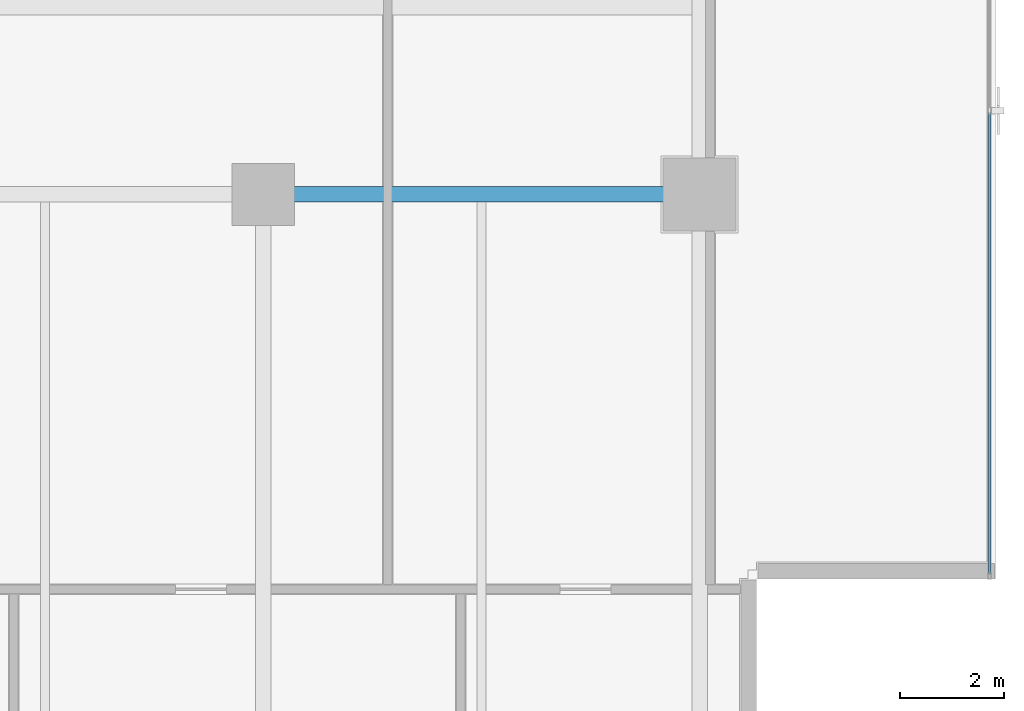
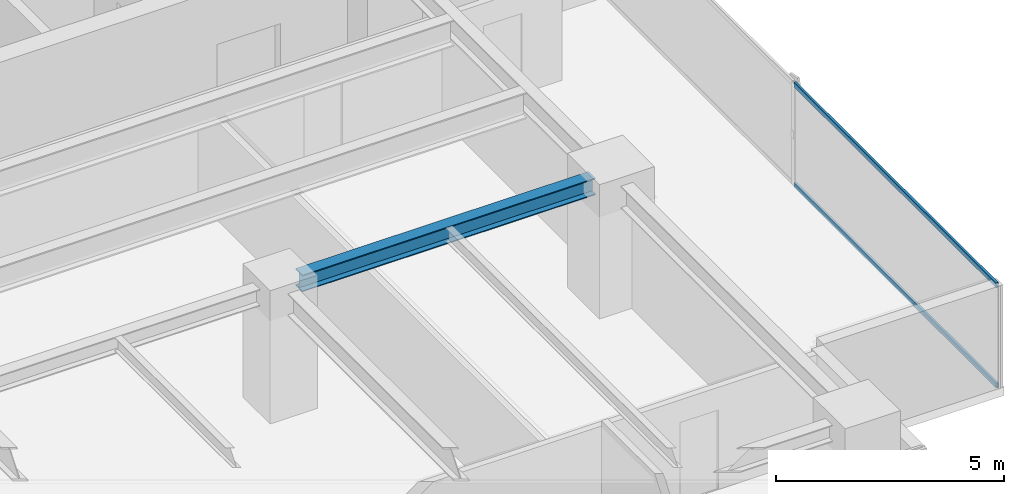
# One storey, part 12 of 27: 2 members, 1 beam, 1 element without a shape of its own.
"""IFC4 building model written with IfcOpenShell, lengths in metres."""

import ifcopenshell
import ifcopenshell.guid

model = None  # the IFC model being written
_history = None  # IfcOwnerHistory: only IFC2X3 demands one
_inside = {}  # id of a spatial element -> (the spatial element, [elements in it])
_under = {}  # id of a project, library or spatial element -> (it, [spatial elements below it])
_declared = {}  # id of a project -> (the project, [libraries it declares])
_typed = {}  # id of a type object -> (the type object, [elements of that type])
_made_of = {}  # id of a material, layer set ... -> (it, [elements and type objects made of it])


def new_model(schema):
    """Start an empty IFC model of exactly this schema.

    Asked for "IFC4X3", IfcOpenShell would pick the latest addendum, in which some entities
    have other attributes; the version numbers below select the first issue.
    IFC2X3 requires an IfcOwnerHistory on every rooted entity: one is made here for all.
    """
    global model, _history
    if schema == "IFC4X3":
        model = ifcopenshell.file(schema_version=(4, 3, 0, 0))
    else:
        model = ifcopenshell.file(schema=schema)
    _inside.clear()
    _under.clear()
    _declared.clear()
    _typed.clear()
    _made_of.clear()
    _history = None
    if model.schema == "IFC2X3":
        org = make("IfcOrganization", Name="unknown")
        user = make(
            "IfcPersonAndOrganization",
            ThePerson=make("IfcPerson", FamilyName="unknown"),
            TheOrganization=org,
        )
        app = make(
            "IfcApplication",
            ApplicationDeveloper=org,
            Version="unknown",
            ApplicationFullName="unknown",
            ApplicationIdentifier="unknown",
        )
        _history = make(
            "IfcOwnerHistory",
            OwningUser=user,
            OwningApplication=app,
            ChangeAction="ADDED",
            CreationDate=0,
        )
    return model


def make(cls, **values):
    """One entity of the class cls with the attributes given. An attribute that is None is left unset."""
    return model.create_entity(
        cls, **{name: value for name, value in values.items() if value is not None}
    )


def rooted(cls, **values):
    """An entity with a GlobalId (a new one), such as an element, a storey or a relation."""
    return make(cls, GlobalId=ifcopenshell.guid.new(), OwnerHistory=_history, **values)


def si_unit(unit_type, name, prefix=None):
    """IfcSIUnit, for example si_unit("LENGTHUNIT", "METRE", prefix="MILLI")."""
    return make("IfcSIUnit", UnitType=unit_type, Prefix=prefix, Name=name)


def assignment(units):
    """IfcUnitAssignment: the units of a project."""
    return None if units is None else make("IfcUnitAssignment", Units=units)


def point(xyz):
    """IfcCartesianPoint."""
    return None if xyz is None else make("IfcCartesianPoint", Coordinates=xyz)


def direction(xyz):
    """IfcDirection."""
    return None if xyz is None else make("IfcDirection", DirectionRatios=xyz)


def frame(location, z_axis=None, x_axis=None):
    """IfcAxis2Placement3D, a coordinate frame: its origin and axes. An axis left out is left unset."""
    return make(
        "IfcAxis2Placement3D",
        Location=point(location),
        Axis=direction(z_axis),
        RefDirection=direction(x_axis),
    )


def frame_2d(location, x_axis=None):
    """IfcAxis2Placement2D, a coordinate frame in the plane: its origin and x axis."""
    return make(
        "IfcAxis2Placement2D", Location=point(location), RefDirection=direction(x_axis)
    )


def origin():
    """The frame at (0, 0, 0) with its axes left unset."""
    return frame((0.0, 0.0, 0.0))


def origin_2d():
    """The frame at (0, 0) in the plane with its x axis left unset."""
    return frame_2d((0.0, 0.0))


def place(relative_to, where):
    """IfcLocalPlacement: puts the frame where relative to a parent placement (None: the world)."""
    return make(
        "IfcLocalPlacement", PlacementRelTo=relative_to, RelativePlacement=where
    )


def context(
    kind, dimensions, precision=None, world=None, true_north=None, identifier=None
):
    """IfcGeometricRepresentationContext, for example the 3D "Model" context."""
    return make(
        "IfcGeometricRepresentationContext",
        ContextIdentifier=identifier,
        ContextType=kind,
        CoordinateSpaceDimension=dimensions,
        Precision=precision,
        WorldCoordinateSystem=world,
        TrueNorth=true_north,
    )


def subcontext(parent, identifier, kind, view, scale=None):
    """IfcGeometricRepresentationSubContext, for example "Body" below "Model"."""
    return make(
        "IfcGeometricRepresentationSubContext",
        ContextIdentifier=identifier,
        ContextType=kind,
        ParentContext=parent,
        TargetScale=scale,
        TargetView=view,
    )


def project(units=None, contexts=None):
    """IfcProject with its units and contexts."""
    return rooted(
        "IfcProject",
        Name="project",
        RepresentationContexts=contexts,
        UnitsInContext=assignment(units),
    )


def spatial(cls, under=None, at=None, **own):
    """A site, building, storey or space (cls), placed at a placement, below another one or the project."""
    s = rooted(cls, ObjectPlacement=at, **own)
    if under is not None:
        _under.setdefault(under.id(), (under, []))[1].append(s)
    return s


def profile(cls, at=None, kind="AREA", **sizes):
    """A parametric profile (cls). Its sizes go by their IFC names, for example OverallWidth=200.0."""
    return make(cls, ProfileType=kind, Position=at, **sizes)


def hollow_rectangle(**sizes):
    """IfcRectangleHollowProfileDef."""
    return profile("IfcRectangleHollowProfileDef", **sizes)


def i_section(**sizes):
    """IfcIShapeProfileDef."""
    return profile("IfcIShapeProfileDef", **sizes)


def extrude(swept, where, along, depth):
    """IfcExtrudedAreaSolid: the profile swept, set in the frame where, extruded along a direction by depth."""
    return make(
        "IfcExtrudedAreaSolid",
        SweptArea=swept,
        Position=where,
        ExtrudedDirection=direction(along),
        Depth=depth,
    )


def shape(context_of_items, identifier, shape_type, items):
    """IfcShapeRepresentation: the items that make up one representation, for example the "Body"."""
    return make(
        "IfcShapeRepresentation",
        ContextOfItems=context_of_items,
        RepresentationIdentifier=identifier,
        RepresentationType=shape_type,
        Items=items,
    )


def source(mapping_origin, context_of_items, identifier, shape_type, items):
    """IfcRepresentationMap: a shape defined once, which mapped items show again and again."""
    return make(
        "IfcRepresentationMap",
        MappingOrigin=mapping_origin,
        MappedRepresentation=shape(context_of_items, identifier, shape_type, items),
    )


def transform(
    local_origin,
    x_axis=None,
    y_axis=None,
    z_axis=None,
    scale=None,
    scale2=None,
    scale3=None,
    uniform=True,
):
    """IfcCartesianTransformationOperator3D, or its non-uniform kind. x_axis, y_axis, z_axis: its Axis1, 2, 3."""
    if uniform:
        return make(
            "IfcCartesianTransformationOperator3D",
            Axis1=direction(x_axis),
            Axis2=direction(y_axis),
            LocalOrigin=point(local_origin),
            Scale=scale,
            Axis3=direction(z_axis),
        )
    return make(
        "IfcCartesianTransformationOperator3DnonUniform",
        Axis1=direction(x_axis),
        Axis2=direction(y_axis),
        LocalOrigin=point(local_origin),
        Scale=scale,
        Axis3=direction(z_axis),
        Scale2=scale2,
        Scale3=scale3,
    )


def mapped(mapping_source, mapping_target):
    """IfcMappedItem: shows the shape of a source again, moved by a transform."""
    return make(
        "IfcMappedItem", MappingSource=mapping_source, MappingTarget=mapping_target
    )


def material(Name=None, Category=None):
    """IfcMaterial."""
    return make("IfcMaterial", Name=Name, Category=Category)


def layer(
    of_material, thickness, ventilated=None, Name=None, Category=None, Priority=None
):
    """IfcMaterialLayer: one layer of a wall or slab, of a material (None: an air gap)."""
    return make(
        "IfcMaterialLayer",
        Material=of_material,
        LayerThickness=thickness,
        IsVentilated=ventilated,
        Name=Name,
        Category=Category,
        Priority=Priority,
    )


def layer_set(layers, Name=None):
    """IfcMaterialLayerSet."""
    return make("IfcMaterialLayerSet", MaterialLayers=layers, LayerSetName=Name)


def material_profile(
    of_material, cross_section, Name=None, Category=None, Priority=None
):
    """IfcMaterialProfile: a cross section and its material."""
    return make(
        "IfcMaterialProfile",
        Name=Name,
        Material=of_material,
        Profile=cross_section,
        Priority=Priority,
        Category=Category,
    )


def profile_set(profiles, Name=None, composite=None):
    """IfcMaterialProfileSet."""
    return make(
        "IfcMaterialProfileSet",
        Name=Name,
        MaterialProfiles=profiles,
        CompositeProfile=composite,
    )


def made_of(thing, what):
    """Note that an element or type object is made of a material, layer set ...; save() writes the relation."""
    if what is not None:
        _made_of.setdefault(what.id(), (what, []))[1].append(thing)
    return thing


def type_object(cls, material=None, **own):
    """A type object (cls), such as IfcWallType, which elements share."""
    return made_of(rooted(cls, **own), material)


def element(
    cls,
    number,
    at=None,
    inside=None,
    cuts=None,
    type_object=None,
    material=None,
    context=None,
    identifier="Body",
    shape_type=None,
    held_by="IfcProductDefinitionShape",
    body=None,
    shapes=None,
    **own,
):
    """One element of the class cls, such as IfcWall. Its Tag is "e" and its number.

    at: its placement. inside: the storey or other place that contains it. cuts: it is an
    opening in that element (IfcRelVoidsElement). A single representation is given by context,
    identifier, shape_type and body (its items); several are given by shapes. held_by: the class
    of the entity that holds the representations. save() writes the other relations.
    """
    e = rooted(cls, Tag="e%d" % number, ObjectPlacement=at, **own)
    if body is not None:
        shapes = [shape(context, identifier, shape_type, body)]
    if shapes is not None:
        e.Representation = make(held_by, Representations=shapes)
    if inside is not None:
        _inside.setdefault(inside.id(), (inside, []))[1].append(e)
    if cuts is not None:
        rooted(
            "IfcRelVoidsElement", RelatingBuildingElement=cuts, RelatedOpeningElement=e
        )
    if type_object is not None:
        _typed.setdefault(type_object.id(), (type_object, []))[1].append(e)
    return made_of(e, material)


def aggregate(whole, parts):
    """IfcRelAggregates: a whole, such as a stair, and the parts it consists of."""
    return rooted("IfcRelAggregates", RelatingObject=whole, RelatedObjects=parts)


def save(model, path):
    """Write the relations noted so far, then the file.

    IfcRelAggregates (storeys below a building ...), IfcRelContainedInSpatialStructure (elements
    in a storey), IfcRelDefinesByType, IfcRelAssociatesMaterial and IfcRelDeclares: one each for
    every whole, place, type object, material and project.
    """
    for whole, parts in _under.values():
        aggregate(whole, parts)
    for where, things in _inside.values():
        rooted(
            "IfcRelContainedInSpatialStructure",
            RelatedElements=things,
            RelatingStructure=where,
        )
    for kind, things in _typed.values():
        rooted("IfcRelDefinesByType", RelatedObjects=things, RelatingType=kind)
    for what, things in _made_of.values():
        rooted("IfcRelAssociatesMaterial", RelatedObjects=things, RelatingMaterial=what)
    for by, libraries in _declared.values():
        rooted("IfcRelDeclares", RelatingContext=by, RelatedDefinitions=libraries)
    model.write(path)


model = new_model("IFC4")

# Units and contexts
model_context = context("Model", 3, precision=1e-05, world=origin(), true_north=direction((0.0, 1.0)))
body_context = subcontext(model_context, "Body", "Model", "MODEL_VIEW")
ifc_project = project(units=[si_unit("LENGTHUNIT", "METRE"), si_unit("AREAUNIT", "SQUARE_METRE"), si_unit("VOLUMEUNIT", "CUBIC_METRE"), si_unit("PLANEANGLEUNIT", "RADIAN"), si_unit("MASSUNIT", "GRAM", prefix="KILO")], contexts=[model_context])

# Site, building, storey
site_placement = place(None, origin())
site = spatial("IfcSite", under=ifc_project, at=site_placement, CompositionType="ELEMENT")
building_placement = place(site_placement, origin())
building = spatial("IfcBuilding", under=site, at=building_placement, Name="Sumidabori Civic Tower", CompositionType="ELEMENT")
storey_placement = place(building_placement, frame((0.0, 0.0, 257.60009765625)))
storey = spatial("IfcBuildingStorey", under=building, at=storey_placement, Name="L67", CompositionType="ELEMENT", Elevation=257.60009765625)

# Beam
ifc_material_1 = material(Name="Steel SN490", Category="steel")
ifc_material_profile_1 = material_profile(ifc_material_1, i_section(OverallWidth=0.300048828125, OverallDepth=0.449951171875, WebThickness=0.013916015625, FlangeThickness=0.02587890625, at=origin_2d()), Name="HE 450 B")
ifc_profile_set_1 = profile_set([ifc_material_profile_1], Name="Steel SN490")
beam_type = type_object("IfcBeamType", Name="BM-GIRD-450", PredefinedType="BEAM", material=ifc_profile_set_1)
shared_shape_1 = source(origin(), body_context, "Body", "SweptSolid", [
    extrude(i_section(OverallWidth=0.300048828125, OverallDepth=0.449951171875, WebThickness=0.013916015625, FlangeThickness=0.02587890625, at=origin_2d()), origin(), (0.0, 0.0, 1.0), 7.440185546875),
])
beam_placement = place(storey_placement, frame((8.8798828125, 0.0, 3.14501953125), z_axis=(1.0, 0.0, 0.0), x_axis=(0.0, 1.0, 0.0)))
element("IfcBeam", 1, at=beam_placement, inside=storey, type_object=beam_type, Name="Primary Girder L67 GX-08", PredefinedType="BEAM", context=body_context, shape_type="MappedRepresentation", body=[
    mapped(shared_shape_1, transform((0.0, 0.0, 0.0), x_axis=(1.0, 0.0, 0.0), y_axis=(0.0, 1.0, 0.0), z_axis=(0.0, 0.0, 1.0), scale=1.0)),
])

# Curtain wall, members
ifc_material_2 = material(Name="Anodised Bronze Aluminium AW-6063-T6", Category="aluminium")
ifc_layer = layer(ifc_material_2, 0.179931640625, Name="Anodised Bronze Aluminium AW-6063-T6")
ifc_layer_set = layer_set([ifc_layer], Name="Anodised Bronze Aluminium AW-6063-T6")
curtain_wall_type = type_object("IfcCurtainWallType", Name="CW-SYS-5", PredefinedType="NOTDEFINED", material=ifc_layer_set)
curtain_wall_placement = place(storey_placement, origin())
curtain_wall = element("IfcCurtainWall", 2, at=curtain_wall_placement, inside=storey, type_object=curtain_wall_type, Name="Curtain Wall CW:L67:R04", PredefinedType="NOTDEFINED")
ifc_material_profile_2 = material_profile(ifc_material_2, hollow_rectangle(XDim=0.06005859375, YDim=0.1298828125, WallThickness=0.0048828125, at=origin_2d()), Name="ALU TRANSOM 130x60")
ifc_profile_set_2 = profile_set([ifc_material_profile_2], Name="Anodised Bronze Aluminium AW-6063-T6")
member_type = type_object("IfcMemberType", Name="CW-TRN-130", PredefinedType="USERDEFINED", material=ifc_profile_set_2)
shared_shape_2 = source(origin(), body_context, "Body", "SweptSolid", [
    extrude(hollow_rectangle(XDim=0.06005859375, YDim=0.1298828125, WallThickness=0.0048828125, at=origin_2d()), origin(), (0.0, 0.0, 1.0), 8.89013671875),
])
member_1_placement = place(storey_placement, frame((22.3798828125, -7.31005859375, 0.02978515625), z_axis=(0.0, 1.0, 0.0), x_axis=(-1.0, 0.0, 0.0)))
member_1 = element("IfcMember", 3, at=member_1_placement, type_object=member_type, Name="CW-5 transom 1.1", ObjectType="TRANSOM", PredefinedType="USERDEFINED", context=body_context, shape_type="MappedRepresentation", body=[
    mapped(shared_shape_2, transform((0.0, 0.0, 0.0), x_axis=(1.0, 0.0, 0.0), y_axis=(0.0, 1.0, 0.0), z_axis=(0.0, 0.0, 1.0), scale=1.0)),
])
member_2_placement = place(storey_placement, frame((22.3798828125, -7.31005859375, 2.719970703125), z_axis=(0.0, 1.0, 0.0), x_axis=(-1.0, 0.0, 0.0)))
member_2 = element("IfcMember", 4, at=member_2_placement, type_object=member_type, Name="CW-5 transom 1.2", ObjectType="TRANSOM", PredefinedType="USERDEFINED", context=body_context, shape_type="MappedRepresentation", body=[
    mapped(shared_shape_2, transform((0.0, 0.0, 0.0), x_axis=(1.0, 0.0, 0.0), y_axis=(0.0, 1.0, 0.0), z_axis=(0.0, 0.0, 1.0), scale=1.0)),
])
aggregate(curtain_wall, [member_1, member_2])

save(model, "model.ifc")
